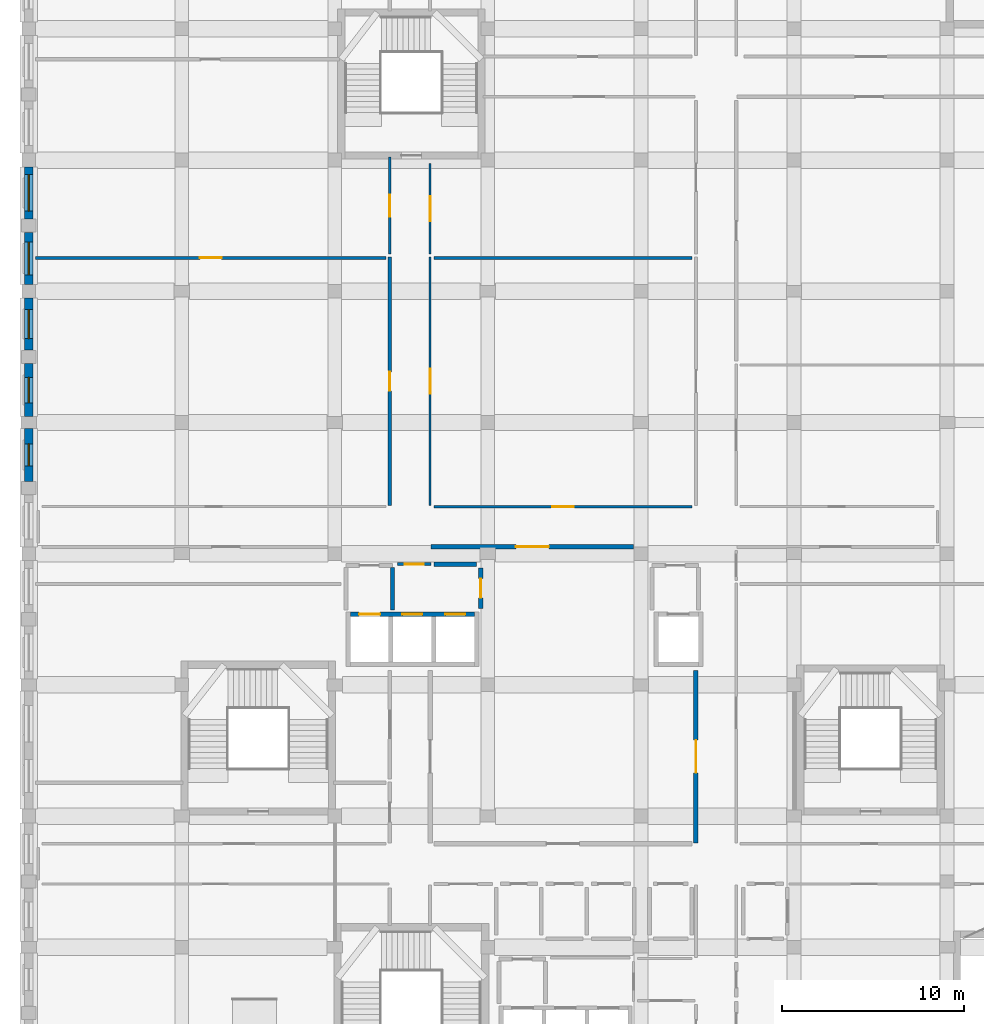
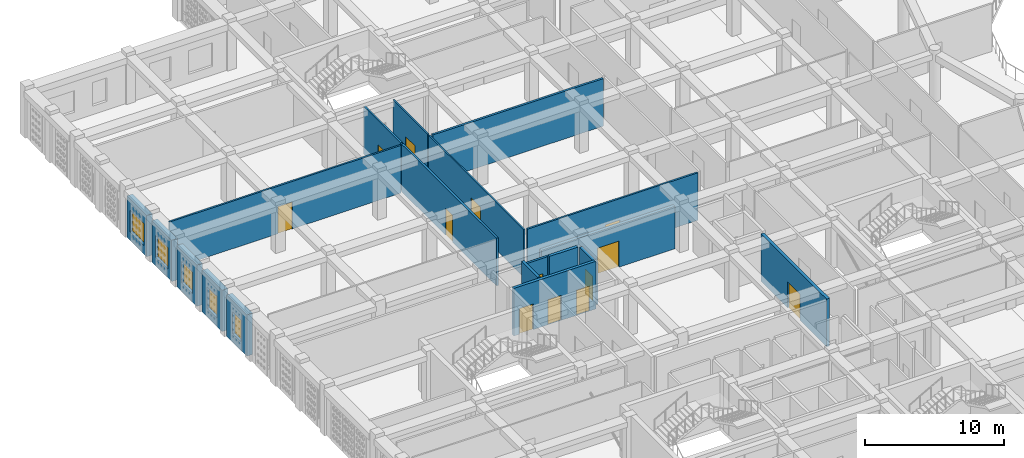
# One storey, part 75 of 121: 19 walls, 13 doors, 5 windows, 18 openings.
"""IFC4 building model written with IfcOpenShell, lengths in metres."""

from ifc_helpers import new_model, si_unit, derived_unit, direction, frame, frame_2d, origin, place, context, subcontext, project, spatial, rectangle, extrude, material, layer, layer_set, type_object, element, fill, save


model = new_model("IFC4")

# Units and contexts
model_context = context("Model", 3, precision=1e-05, world=origin(), true_north=direction((0.0, 1.0)))
body_context = subcontext(model_context, "Body", "Model", "MODEL_VIEW")
ifc_project = project(units=[si_unit("LENGTHUNIT", "METRE"), si_unit("AREAUNIT", "SQUARE_METRE"), si_unit("VOLUMEUNIT", "CUBIC_METRE"), si_unit("PLANEANGLEUNIT", "RADIAN"), si_unit("MASSUNIT", "GRAM", prefix="KILO"), derived_unit("THERMALTRANSMITTANCEUNIT", [(si_unit("POWERUNIT", "WATT"), 1), (si_unit("LENGTHUNIT", "METRE"), -2), (si_unit("THERMODYNAMICTEMPERATUREUNIT", "KELVIN"), -1)])], contexts=[model_context])

# Site, building, storey
site_placement = place(None, origin())
site = spatial("IfcSite", under=ifc_project, at=site_placement, CompositionType="ELEMENT")
building_placement = place(site_placement, origin())
building = spatial("IfcBuilding", under=site, at=building_placement, Name="Veybourne Emporium", CompositionType="ELEMENT")
storey_placement = place(building_placement, frame((0.0, 0.0, 5.39990234375)))
storey = spatial("IfcBuildingStorey", under=building, at=storey_placement, Name="L01", CompositionType="ELEMENT", Elevation=5.39990234375)

# Wall, opening, window
ifc_material_1 = material(Name="Portland Limestone Ashlar", Category="masonry")
ifc_layer_1 = layer(ifc_material_1, 0.47998046875)
ifc_layer_set_1 = layer_set([ifc_layer_1], Name="Portland Limestone Ashlar")
wall_type_1 = type_object("IfcWallType", Name="ExtWall_EW-01", PredefinedType="SOLIDWALL", material=ifc_layer_set_1)
wall_1_placement = place(storey_placement, frame((0.0, 47.169921875, 0.0), z_axis=(0.0, 0.0, 1.0), x_axis=(0.0, 1.0, 0.0)))
wall_1 = element("IfcWall", 1, at=wall_1_placement, inside=storey, type_object=wall_type_1, Name="L01 Portland stone external wall 006B", PredefinedType="SOLIDWALL", context=body_context, shape_type="SweptSolid", body=[
    extrude(rectangle(XDim=2.905029296875, YDim=0.47998046875, at=frame_2d((1.45263671875, 0.0))), origin(), (0.0, 0.0, 1.0), 3.630126953125),
])
opening_1_placement = place(wall_1_placement, frame((0.8525390625, 0.0, 0.75)))
opening_1 = element("IfcOpeningElement", 2, at=opening_1_placement, cuts=wall_1, Name="Opening W-01", PredefinedType="OPENING", context=body_context, shape_type="SweptSolid", body=[
    extrude(rectangle(XDim=1.199951171875, YDim=1.89990234375, at=frame_2d((0.60009765625, 0.949951171875))), frame((0.0, 0.260009765625, 0.0), z_axis=(0.0, -1.0, 0.0), x_axis=(1.0, 0.0, 0.0)), (0.0, 0.0, 1.0), 0.52001953125),
])
ifc_material_2 = material(Name="Low-E Triple Glazing", Category="glass")
window_type_1 = type_object("IfcWindowType", Name="Win_W-01", PartitioningType="SINGLE_PANEL", PredefinedType="WINDOW", material=ifc_material_2)
window_1_placement = place(opening_1_placement, origin())
window_1 = element("IfcWindow", 3, at=window_1_placement, inside=storey, type_object=window_type_1, Name="L01 tripartite bronze casement window W-01 (6B)", OverallHeight=1.89990234375, OverallWidth=1.199951171875, PartitioningType="SINGLE_PANEL", PredefinedType="WINDOW", context=body_context, shape_type="SweptSolid", body=[
    extrude(rectangle(XDim=1.199951171875, YDim=1.89990234375, at=frame_2d((0.60009765625, 0.949951171875))), frame((0.0, 0.030029296875, 0.0), z_axis=(0.0, -1.0, 0.0), x_axis=(1.0, 0.0, 0.0)), (0.0, 0.0, 1.0), 0.06005859375),
])
fill(opening_1, window_1)

wall_2_placement = place(storey_placement, frame((0.0, 50.72509765625, 0.0), z_axis=(0.0, 0.0, 1.0), x_axis=(0.0, 1.0, 0.0)))
wall_2 = element("IfcWall", 4, at=wall_2_placement, inside=storey, type_object=wall_type_1, Name="L01 Portland stone external wall 007A", PredefinedType="SOLIDWALL", context=body_context, shape_type="SweptSolid", body=[
    extrude(rectangle(XDim=2.90478515625, YDim=0.47998046875, at=frame_2d((1.452392578125, 0.0))), origin(), (0.0, 0.0, 1.0), 3.630126953125),
])
opening_2_placement = place(wall_2_placement, frame((0.75244140625, 0.0, 0.75)))
opening_2 = element("IfcOpeningElement", 5, at=opening_2_placement, cuts=wall_2, Name="Opening W-02", PredefinedType="OPENING", context=body_context, shape_type="SweptSolid", body=[
    extrude(rectangle(XDim=1.39990234375, YDim=1.89990234375, at=frame_2d((0.699951171875, 0.949951171875))), frame((0.0, 0.260009765625, 0.0), z_axis=(0.0, -1.0, 0.0), x_axis=(1.0, 0.0, 0.0)), (0.0, 0.0, 1.0), 0.52001953125),
])
window_type_2 = type_object("IfcWindowType", Name="Win_W-02", PartitioningType="DOUBLE_PANEL_VERTICAL", PredefinedType="WINDOW", material=ifc_material_2)
window_2_placement = place(opening_2_placement, origin())
window_2 = element("IfcWindow", 6, at=window_2_placement, inside=storey, type_object=window_type_2, Name="L01 tripartite bronze casement window W-02 (7A)", OverallHeight=1.89990234375, OverallWidth=1.39990234375, PartitioningType="DOUBLE_PANEL_VERTICAL", PredefinedType="WINDOW", context=body_context, shape_type="SweptSolid", body=[
    extrude(rectangle(XDim=1.39990234375, YDim=1.89990234375, at=frame_2d((0.699951171875, 0.949951171875))), frame((0.0, 0.030029296875, 0.0), z_axis=(0.0, -1.0, 0.0), x_axis=(1.0, 0.0, 0.0)), (0.0, 0.0, 1.0), 0.06005859375),
])
fill(opening_2, window_2)

wall_3_placement = place(storey_placement, frame((0.0, 54.3701171875, 0.0), z_axis=(0.0, 0.0, 1.0), x_axis=(0.0, 1.0, 0.0)))
wall_3 = element("IfcWall", 7, at=wall_3_placement, inside=storey, type_object=wall_type_1, Name="L01 Portland stone external wall 007B", PredefinedType="SOLIDWALL", context=body_context, shape_type="SweptSolid", body=[
    extrude(rectangle(XDim=2.85498046875, YDim=0.47998046875, at=frame_2d((1.427490234375, 0.0))), origin(), (0.0, 0.0, 1.0), 3.630126953125),
])
opening_3_placement = place(wall_3_placement, frame((0.62744140625, 0.0, 0.75)))
opening_3 = element("IfcOpeningElement", 8, at=opening_3_placement, cuts=wall_3, Name="Opening W-03", PredefinedType="OPENING", context=body_context, shape_type="SweptSolid", body=[
    extrude(rectangle(XDim=1.60009765625, YDim=1.89990234375, at=frame_2d((0.800048828125, 0.949951171875))), frame((0.0, 0.260009765625, 0.0), z_axis=(0.0, -1.0, 0.0), x_axis=(1.0, 0.0, 0.0)), (0.0, 0.0, 1.0), 0.52001953125),
])
window_type_3 = type_object("IfcWindowType", Name="Win_W-03", PartitioningType="DOUBLE_PANEL_VERTICAL", PredefinedType="WINDOW", material=ifc_material_2)
window_3_placement = place(opening_3_placement, origin())
window_3 = element("IfcWindow", 9, at=window_3_placement, inside=storey, type_object=window_type_3, Name="L01 tripartite bronze casement window W-03 (7B)", OverallHeight=1.89990234375, OverallWidth=1.60009765625, PartitioningType="DOUBLE_PANEL_VERTICAL", PredefinedType="WINDOW", context=body_context, shape_type="SweptSolid", body=[
    extrude(rectangle(XDim=1.60009765625, YDim=1.89990234375, at=frame_2d((0.800048828125, 0.949951171875))), frame((0.0, 0.030029296875, 0.0), z_axis=(0.0, -1.0, 0.0), x_axis=(1.0, 0.0, 0.0)), (0.0, 0.0, 1.0), 0.06005859375),
])
fill(opening_3, window_3)

wall_4_placement = place(storey_placement, frame((0.0, 57.97509765625, 0.0), z_axis=(0.0, 0.0, 1.0), x_axis=(0.0, 1.0, 0.0)))
wall_4 = element("IfcWall", 10, at=wall_4_placement, inside=storey, type_object=wall_type_1, Name="L01 Portland stone external wall 008A", PredefinedType="SOLIDWALL", context=body_context, shape_type="SweptSolid", body=[
    extrude(rectangle(XDim=2.85498046875, YDim=0.47998046875, at=frame_2d((1.427490234375, 0.0))), origin(), (0.0, 0.0, 1.0), 3.630126953125),
])
opening_4_placement = place(wall_4_placement, frame((0.527587890625, 0.0, 0.75)))
opening_4 = element("IfcOpeningElement", 11, at=opening_4_placement, cuts=wall_4, Name="Opening W-04", PredefinedType="OPENING", context=body_context, shape_type="SweptSolid", body=[
    extrude(rectangle(XDim=1.800048828125, YDim=1.89990234375, at=frame_2d((0.89990234375, 0.949951171875))), frame((0.0, 0.260009765625, 0.0), z_axis=(0.0, -1.0, 0.0), x_axis=(1.0, 0.0, 0.0)), (0.0, 0.0, 1.0), 0.52001953125),
])
window_type_4 = type_object("IfcWindowType", Name="Win_W-04", PartitioningType="DOUBLE_PANEL_VERTICAL", PredefinedType="WINDOW", material=ifc_material_2)
window_4_placement = place(opening_4_placement, origin())
window_4 = element("IfcWindow", 12, at=window_4_placement, inside=storey, type_object=window_type_4, Name="L01 tripartite bronze casement window W-04 (8A)", OverallHeight=1.89990234375, OverallWidth=1.800048828125, PartitioningType="DOUBLE_PANEL_VERTICAL", PredefinedType="WINDOW", context=body_context, shape_type="SweptSolid", body=[
    extrude(rectangle(XDim=1.800048828125, YDim=1.89990234375, at=frame_2d((0.89990234375, 0.949951171875))), frame((0.0, 0.030029296875, 0.0), z_axis=(0.0, -1.0, 0.0), x_axis=(1.0, 0.0, 0.0)), (0.0, 0.0, 1.0), 0.06005859375),
])
fill(opening_4, window_4)

wall_5_placement = place(storey_placement, frame((0.0, 61.570068359375, 0.0), z_axis=(0.0, 0.0, 1.0), x_axis=(0.0, 1.0, 0.0)))
wall_5 = element("IfcWall", 13, at=wall_5_placement, inside=storey, type_object=wall_type_1, Name="L01 Portland stone external wall 008B", PredefinedType="SOLIDWALL", context=body_context, shape_type="SweptSolid", body=[
    extrude(rectangle(XDim=2.85498046875, YDim=0.47998046875, at=frame_2d((1.427490234375, 0.0))), origin(), (0.0, 0.0, 1.0), 3.630126953125),
])
opening_5_placement = place(wall_5_placement, frame((0.427490234375, 0.0, 0.75)))
opening_5 = element("IfcOpeningElement", 14, at=opening_5_placement, cuts=wall_5, Name="Opening W-05", PredefinedType="OPENING", context=body_context, shape_type="SweptSolid", body=[
    extrude(rectangle(XDim=2.0, YDim=1.89990234375, at=frame_2d((1.0, 0.949951171875))), frame((0.0, 0.260009765625, 0.0), z_axis=(0.0, -1.0, 0.0), x_axis=(1.0, 0.0, 0.0)), (0.0, 0.0, 1.0), 0.52001953125),
])
window_type_5 = type_object("IfcWindowType", Name="Win_W-05", PartitioningType="TRIPLE_PANEL_VERTICAL", PredefinedType="WINDOW", material=ifc_material_2)
window_5_placement = place(opening_5_placement, origin())
window_5 = element("IfcWindow", 15, at=window_5_placement, inside=storey, type_object=window_type_5, Name="L01 tripartite bronze casement window W-05 (8B)", OverallHeight=1.89990234375, OverallWidth=2.0, PartitioningType="TRIPLE_PANEL_VERTICAL", PredefinedType="WINDOW", context=body_context, shape_type="SweptSolid", body=[
    extrude(rectangle(XDim=2.0, YDim=1.89990234375, at=frame_2d((1.0, 0.949951171875))), frame((0.0, 0.030029296875, 0.0), z_axis=(0.0, -1.0, 0.0), x_axis=(1.0, 0.0, 0.0)), (0.0, 0.0, 1.0), 0.06005859375),
])
fill(opening_5, window_5)

# Wall, openings, doors
ifc_material_3 = material(Name="Concrete C40/50", Category="concrete")
ifc_layer_2 = layer(ifc_material_3, 0.239990234375)
ifc_layer_set_2 = layer_set([ifc_layer_2], Name="Concrete C40/50")
wall_type_2 = type_object("IfcWallType", Name="IntWall_CW-04", PredefinedType="SHEAR", material=ifc_layer_set_2)
wall_6_placement = place(storey_placement, frame((24.47998046875, 39.8701171875, 0.0), z_axis=(0.0, 0.0, 1.0), x_axis=(-1.0, 0.0, 0.0)))
wall_6 = element("IfcWall", 16, at=wall_6_placement, inside=storey, type_object=wall_type_2, Name="Lift core C2 north shaft wall (L01)", PredefinedType="SHEAR", context=body_context, shape_type="SweptSolid", body=[
    extrude(rectangle(XDim=6.820068359375, YDim=0.239990234375, at=frame_2d((3.41015625, 0.0))), origin(), (0.0, 0.0, 1.0), 4.18017578125),
])
opening_6_placement = place(wall_6_placement, frame((5.195068359375, 0.0, 0.0)))
opening_6 = element("IfcOpeningElement", 17, at=opening_6_placement, cuts=wall_6, Name="Opening LD-02", PredefinedType="OPENING", context=body_context, shape_type="SweptSolid", body=[
    extrude(rectangle(XDim=1.14990234375, YDim=2.25, at=frame_2d((0.574951171875, 1.125))), frame((0.0, 0.14013671875, 0.0), z_axis=(0.0, -1.0, 0.0), x_axis=(1.0, 0.0, 0.0)), (0.0, 0.0, 1.0), 0.280029296875),
])
opening_7_placement = place(wall_6_placement, frame((2.8701171875, 0.0, 0.0)))
opening_7 = element("IfcOpeningElement", 18, at=opening_7_placement, cuts=wall_6, Name="Opening LD-01", PredefinedType="OPENING", context=body_context, shape_type="SweptSolid", body=[
    extrude(rectangle(XDim=1.10009765625, YDim=2.199951171875, at=frame_2d((0.550048828125, 1.10009765625))), frame((0.0, 0.14013671875, 0.0), z_axis=(0.0, -1.0, 0.0), x_axis=(1.0, 0.0, 0.0)), (0.0, 0.0, 1.0), 0.280029296875),
])
opening_8_placement = place(wall_6_placement, frame((0.510009765625, 0.0, 0.0)))
opening_8 = element("IfcOpeningElement", 19, at=opening_8_placement, cuts=wall_6, Name="Opening LD-01", PredefinedType="OPENING", context=body_context, shape_type="SweptSolid", body=[
    extrude(rectangle(XDim=1.10009765625, YDim=2.199951171875, at=frame_2d((0.550048828125, 1.10009765625))), frame((0.0, 0.14013671875, 0.0), z_axis=(0.0, -1.0, 0.0), x_axis=(1.0, 0.0, 0.0)), (0.0, 0.0, 1.0), 0.280029296875),
])
ifc_material_4 = material(Name="Patinated Architectural Bronze", Category="bronze")
door_type_1 = type_object("IfcDoorType", Name="FireDoor_LD-01", OperationType="DOUBLE_DOOR_SLIDING", PredefinedType="DOOR", material=ifc_material_4)
door_1_placement = place(opening_7_placement, origin())
door_1 = element("IfcDoor", 20, at=door_1_placement, inside=storey, type_object=door_type_1, Name="Lift PL-03 sliding landing door (L01)", OperationType="DOUBLE_DOOR_SLIDING", OverallHeight=2.199951171875, OverallWidth=1.10009765625, PredefinedType="DOOR", context=body_context, shape_type="SweptSolid", body=[
    extrude(rectangle(XDim=1.10009765625, YDim=2.199951171875, at=frame_2d((0.550048828125, 1.10009765625))), frame((0.0, 0.02490234375, 0.0), z_axis=(0.0, -1.0, 0.0), x_axis=(1.0, 0.0, 0.0)), (0.0, 0.0, 1.0), 0.050048828125),
])
fill(opening_7, door_1)
door_2_placement = place(opening_8_placement, origin())
door_2 = element("IfcDoor", 21, at=door_2_placement, inside=storey, type_object=door_type_1, Name="Lift PL-04 sliding landing door (L01)", OperationType="DOUBLE_DOOR_SLIDING", OverallHeight=2.199951171875, OverallWidth=1.10009765625, PredefinedType="DOOR", context=body_context, shape_type="SweptSolid", body=[
    extrude(rectangle(XDim=1.10009765625, YDim=2.199951171875, at=frame_2d((0.550048828125, 1.10009765625))), frame((0.0, 0.02490234375, 0.0), z_axis=(0.0, -1.0, 0.0), x_axis=(1.0, 0.0, 0.0)), (0.0, 0.0, 1.0), 0.050048828125),
])
fill(opening_8, door_2)
door_type_2 = type_object("IfcDoorType", Name="FireDoor_LD-02", OperationType="SLIDING_TO_LEFT", PredefinedType="DOOR", material=ifc_material_4)
door_3_placement = place(opening_6_placement, origin())
door_3 = element("IfcDoor", 22, at=door_3_placement, inside=storey, type_object=door_type_2, Name="Lift FFL-02 sliding landing door (L01)", OperationType="SLIDING_TO_LEFT", OverallHeight=2.25, OverallWidth=1.14990234375, PredefinedType="DOOR", context=body_context, shape_type="SweptSolid", body=[
    extrude(rectangle(XDim=1.14990234375, YDim=2.25, at=frame_2d((0.574951171875, 1.125))), frame((0.0, 0.02490234375, 0.0), z_axis=(0.0, -1.0, 0.0), x_axis=(1.0, 0.0, 0.0)), (0.0, 0.0, 1.0), 0.050048828125),
])
fill(opening_6, door_3)

# Wall, opening, door
ifc_material_5 = material(Name="Concrete C32/40", Category="concrete")
ifc_layer_3 = layer(ifc_material_5, 0.25)
ifc_layer_set_3 = layer_set([ifc_layer_3], Name="Concrete C32/40")
wall_type_3 = type_object("IfcWallType", Name="IntWall_FW-01", PredefinedType="SOLIDWALL", material=ifc_layer_set_3)
wall_7_placement = place(storey_placement, frame((22.080078125, 43.570068359375, 0.0), z_axis=(0.0, 0.0, 1.0), x_axis=(1.0, 0.0, 0.0)))
wall_7 = element("IfcWall", 23, at=wall_7_placement, inside=storey, type_object=wall_type_3, Name="L01 interior partition FW-01 #017", PredefinedType="SOLIDWALL", context=body_context, shape_type="SweptSolid", body=[
    extrude(rectangle(XDim=11.125, YDim=0.25, at=frame_2d((5.5625, 0.0))), origin(), (0.0, 0.0, 1.0), 3.72998046875),
])
opening_9_placement = place(wall_7_placement, frame((4.66259765625, 0.0, 0.0)))
opening_9 = element("IfcOpeningElement", 24, at=opening_9_placement, cuts=wall_7, Name="Opening FD-03", PredefinedType="OPENING", context=body_context, shape_type="SweptSolid", body=[
    extrude(rectangle(XDim=1.800048828125, YDim=2.300048828125, at=frame_2d((0.89990234375, 1.14990234375))), frame((0.0, 0.14501953125, 0.0), z_axis=(0.0, -1.0, 0.0), x_axis=(1.0, 0.0, 0.0)), (0.0, 0.0, 1.0), 0.2900390625),
])
door_type_3 = type_object("IfcDoorType", Name="FireDoor_FD-03", OperationType="DOUBLE_DOOR_SINGLE_SWING", PredefinedType="DOOR", material=ifc_material_4)
door_4_placement = place(opening_9_placement, origin())
door_4 = element("IfcDoor", 25, at=door_4_placement, inside=storey, type_object=door_type_3, Name="L01 interior door FD-03 (PART-L01-017)", OperationType="DOUBLE_DOOR_SINGLE_SWING", OverallHeight=2.300048828125, OverallWidth=1.800048828125, PredefinedType="DOOR", context=body_context, shape_type="SweptSolid", body=[
    extrude(rectangle(XDim=1.800048828125, YDim=2.300048828125, at=frame_2d((0.89990234375, 1.14990234375))), frame((0.0, 0.02490234375, 0.0), z_axis=(0.0, -1.0, 0.0), x_axis=(1.0, 0.0, 0.0)), (0.0, 0.0, 1.0), 0.050048828125),
])
fill(opening_9, door_4)

wall_8_placement = place(storey_placement, frame((36.6201171875, 27.330078125, 0.0), z_axis=(0.0, 0.0, 1.0), x_axis=(0.0, 1.0, 0.0)))
wall_8 = element("IfcWall", 26, at=wall_8_placement, inside=storey, type_object=wall_type_3, Name="L01 interior partition FW-01 #069", PredefinedType="SOLIDWALL", context=body_context, shape_type="SweptSolid", body=[
    extrude(rectangle(XDim=9.469970703125, YDim=0.25, at=frame_2d((4.73486328125, 0.0))), origin(), (0.0, 0.0, 1.0), 4.18017578125),
])
opening_10_placement = place(wall_8_placement, frame((3.8349609375, 0.0, 0.0)))
opening_10 = element("IfcOpeningElement", 27, at=opening_10_placement, cuts=wall_8, Name="Opening FD-03", PredefinedType="OPENING", context=body_context, shape_type="SweptSolid", body=[
    extrude(rectangle(XDim=1.800048828125, YDim=2.300048828125, at=frame_2d((0.89990234375, 1.14990234375))), frame((0.0, 0.14501953125, 0.0), z_axis=(0.0, -1.0, 0.0), x_axis=(1.0, 0.0, 0.0)), (0.0, 0.0, 1.0), 0.2900390625),
])
door_5_placement = place(opening_10_placement, origin())
door_5 = element("IfcDoor", 28, at=door_5_placement, inside=storey, type_object=door_type_3, Name="L01 interior door FD-03 (PART-L01-069)", OperationType="DOUBLE_DOOR_SINGLE_SWING", OverallHeight=2.300048828125, OverallWidth=1.800048828125, PredefinedType="DOOR", context=body_context, shape_type="SweptSolid", body=[
    extrude(rectangle(XDim=1.800048828125, YDim=2.300048828125, at=frame_2d((0.89990234375, 1.14990234375))), frame((0.0, 0.02490234375, 0.0), z_axis=(0.0, -1.0, 0.0), x_axis=(1.0, 0.0, 0.0)), (0.0, 0.0, 1.0), 0.050048828125),
])
fill(opening_10, door_5)

# Wall
wall_9_placement = place(storey_placement, frame((22.239990234375, 42.6298828125, 0.0), z_axis=(0.0, 0.0, 1.0), x_axis=(1.0, 0.0, 0.0)))
element("IfcWall", 29, at=wall_9_placement, inside=storey, type_object=wall_type_3, Name="L01 interior partition FW-01 #120", PredefinedType="SOLIDWALL", context=body_context, shape_type="SweptSolid", body=[
    extrude(rectangle(XDim=2.35009765625, YDim=0.25, at=frame_2d((1.175048828125, 0.0))), origin(), (0.0, 0.0, 1.0), 3.72998046875),
])

# Wall, opening, door
wall_10_placement = place(storey_placement, frame((24.800048828125, 40.177978515625, 0.0), z_axis=(0.0, 0.0, 1.0), x_axis=(0.0, 1.0, 0.0)))
wall_10 = element("IfcWall", 30, at=wall_10_placement, inside=storey, type_object=wall_type_3, Name="L01 interior partition FW-01 #122", PredefinedType="SOLIDWALL", context=body_context, shape_type="SweptSolid", body=[
    extrude(rectangle(XDim=2.241943359375, YDim=0.25, at=frame_2d((1.12109375, 0.0))), origin(), (0.0, 0.0, 1.0), 3.72998046875),
])
opening_11_placement = place(wall_10_placement, frame((0.595947265625, 0.0, 0.0)))
opening_11 = element("IfcOpeningElement", 31, at=opening_11_placement, cuts=wall_10, Name="Opening FD-02", PredefinedType="OPENING", context=body_context, shape_type="SweptSolid", body=[
    extrude(rectangle(XDim=1.050048828125, YDim=2.14990234375, at=frame_2d((0.52490234375, 1.074951171875))), frame((0.0, 0.14501953125, 0.0), z_axis=(0.0, -1.0, 0.0), x_axis=(1.0, 0.0, 0.0)), (0.0, 0.0, 1.0), 0.2900390625),
])
door_type_4 = type_object("IfcDoorType", Name="FireDoor_FD-02", OperationType="NOTDEFINED", PredefinedType="DOOR", material=ifc_material_4)
door_6_placement = place(opening_11_placement, origin())
door_6 = element("IfcDoor", 32, at=door_6_placement, inside=storey, type_object=door_type_4, Name="L01 interior door FD-02 (PART-L01-122)", OperationType="SINGLE_SWING_RIGHT", OverallHeight=2.14990234375, OverallWidth=1.050048828125, PredefinedType="DOOR", context=body_context, shape_type="SweptSolid", body=[
    extrude(rectangle(XDim=1.050048828125, YDim=2.14990234375, at=frame_2d((0.52490234375, 1.074951171875))), frame((0.0, 0.02490234375, 0.0), z_axis=(0.0, -1.0, 0.0), x_axis=(1.0, 0.0, 0.0)), (0.0, 0.0, 1.0), 0.050048828125),
])
fill(opening_11, door_6)

# Wall
ifc_layer_4 = layer(ifc_material_5, 0.219970703125)
ifc_layer_set_4 = layer_set([ifc_layer_4], Name="Concrete C32/40")
wall_type_4 = type_object("IfcWallType", Name="IntWall_FW-02", PredefinedType="SOLIDWALL", material=ifc_layer_set_4)
wall_11_placement = place(storey_placement, frame((19.9599609375, 40.110107421875, 0.0), z_axis=(0.0, 0.0, 1.0), x_axis=(0.0, 1.0, 0.0)))
element("IfcWall", 33, at=wall_11_placement, inside=storey, type_object=wall_type_4, Name="Firefighting lobby C2 fire wall E (L01)", PredefinedType="SOLIDWALL", context=body_context, shape_type="SweptSolid", body=[
    extrude(rectangle(XDim=2.31982421875, YDim=0.219970703125, at=frame_2d((1.159912109375, 0.0))), origin(), (0.0, 0.0, 1.0), 4.18017578125),
])

# Wall, opening, door
ifc_material_6 = material(Name="Gypsum Acoustic Board", Category="gypsum")
ifc_layer_5 = layer(ifc_material_6, 0.179931640625)
ifc_layer_set_5 = layer_set([ifc_layer_5], Name="Gypsum Acoustic Board")
wall_type_5 = type_object("IfcWallType", Name="IntWall_IW-01", PredefinedType="PARTITIONING", material=ifc_layer_set_5)
wall_12_placement = place(storey_placement, frame((19.820068359375, 45.830078125, 0.0), z_axis=(0.0, 0.0, 1.0), x_axis=(0.0, 1.0, 0.0)))
wall_12 = element("IfcWall", 34, at=wall_12_placement, inside=storey, type_object=wall_type_5, Name="L01 interior partition IW-01 #037", PredefinedType="PARTITIONING", context=body_context, shape_type="SweptSolid", body=[
    extrude(rectangle(XDim=13.64990234375, YDim=0.179931640625, at=frame_2d((6.824951171875, 0.0))), origin(), (0.0, 0.0, 1.0), 4.18017578125),
])
opening_12_placement = place(wall_12_placement, frame((6.304931640625, 0.0, 0.0)))
opening_12 = element("IfcOpeningElement", 35, at=opening_12_placement, cuts=wall_12, Name="Opening D-26", PredefinedType="OPENING", context=body_context, shape_type="SweptSolid", body=[
    extrude(rectangle(XDim=1.0400390625, YDim=2.3701171875, at=frame_2d((0.52001953125, 1.18505859375))), frame((0.0, 0.10986328125, 0.0), z_axis=(0.0, -1.0, 0.0), x_axis=(1.0, 0.0, 0.0)), (0.0, 0.0, 1.0), 0.219970703125),
])
ifc_material_7 = material(Name="European Oak Veneer and Bronze", Category="wood")
door_type_5 = type_object("IfcDoorType", Name="IntDoor_D-26", OperationType="NOTDEFINED", PredefinedType="DOOR", material=ifc_material_7)
door_7_placement = place(opening_12_placement, origin())
door_7 = element("IfcDoor", 36, at=door_7_placement, inside=storey, type_object=door_type_5, Name="L01 interior door D-26 (PART-L01-037)", OperationType="SINGLE_SWING_RIGHT", OverallHeight=2.3701171875, OverallWidth=1.0400390625, PredefinedType="DOOR", context=body_context, shape_type="SweptSolid", body=[
    extrude(rectangle(XDim=1.0400390625, YDim=2.3701171875, at=frame_2d((0.52001953125, 1.18505859375))), frame((0.0, 0.02490234375, 0.0), z_axis=(0.0, -1.0, 0.0), x_axis=(1.0, 0.0, 0.0)), (0.0, 0.0, 1.0), 0.050048828125),
])
fill(opening_12, door_7)

wall_13_placement = place(storey_placement, frame((20.25, 42.6298828125, 0.0), z_axis=(0.0, 0.0, 1.0), x_axis=(1.0, 0.0, 0.0)))
wall_13 = element("IfcWall", 37, at=wall_13_placement, inside=storey, type_object=wall_type_5, Name="L01 interior partition IW-01 #145", PredefinedType="PARTITIONING", context=body_context, shape_type="SweptSolid", body=[
    extrude(rectangle(XDim=1.830078125, YDim=0.179931640625, at=frame_2d((0.9150390625, 0.0))), origin(), (0.0, 0.0, 1.0), 3.72998046875),
])
opening_13_placement = place(wall_13_placement, frame((0.39501953125, 0.0, 0.0)))
opening_13 = element("IfcOpeningElement", 38, at=opening_13_placement, cuts=wall_13, Name="Opening D-26", PredefinedType="OPENING", context=body_context, shape_type="SweptSolid", body=[
    extrude(rectangle(XDim=1.0400390625, YDim=2.3701171875, at=frame_2d((0.52001953125, 1.18505859375))), frame((0.0, 0.10986328125, 0.0), z_axis=(0.0, -1.0, 0.0), x_axis=(1.0, 0.0, 0.0)), (0.0, 0.0, 1.0), 0.219970703125),
])
door_8_placement = place(opening_13_placement, origin())
door_8 = element("IfcDoor", 39, at=door_8_placement, inside=storey, type_object=door_type_5, Name="L01 interior door D-26 (PART-L01-145)", OperationType="SINGLE_SWING_LEFT", OverallHeight=2.3701171875, OverallWidth=1.0400390625, PredefinedType="DOOR", context=body_context, shape_type="SweptSolid", body=[
    extrude(rectangle(XDim=1.0400390625, YDim=2.3701171875, at=frame_2d((0.52001953125, 1.18505859375))), frame((0.0, 0.02490234375, 0.0), z_axis=(0.0, -1.0, 0.0), x_axis=(1.0, 0.0, 0.0)), (0.0, 0.0, 1.0), 0.050048828125),
])
fill(opening_13, door_8)

# Wall
wall_14_placement = place(storey_placement, frame((22.239990234375, 59.429931640625, 0.0), z_axis=(0.0, 0.0, 1.0), x_axis=(1.0, 0.0, 0.0)))
element("IfcWall", 40, at=wall_14_placement, inside=storey, type_object=wall_type_5, Name="L01 interior partition IW-01 #178", PredefinedType="PARTITIONING", context=body_context, shape_type="SweptSolid", body=[
    extrude(rectangle(XDim=14.169921875, YDim=0.179931640625, at=frame_2d((7.0849609375, 0.0))), origin(), (0.0, 0.0, 1.0), 4.18017578125),
])

# Wall, opening, door
ifc_layer_6 = layer(ifc_material_6, 0.14990234375)
ifc_layer_set_6 = layer_set([ifc_layer_6], Name="Gypsum Acoustic Board")
wall_type_6 = type_object("IfcWallType", Name="IntWall_IW-02", PredefinedType="PARTITIONING", material=ifc_layer_set_6)
wall_15_placement = place(storey_placement, frame((0.3701171875, 59.429931640625, 0.0), z_axis=(0.0, 0.0, 1.0), x_axis=(1.0, 0.0, 0.0)))
wall_15 = element("IfcWall", 41, at=wall_15_placement, inside=storey, type_object=wall_type_6, Name="L01 interior partition IW-02 #002", PredefinedType="PARTITIONING", context=body_context, shape_type="SweptSolid", body=[
    extrude(rectangle(XDim=19.239990234375, YDim=0.14990234375, at=frame_2d((9.6201171875, 0.0))), origin(), (0.0, 0.0, 1.0), 4.18017578125),
])
opening_14_placement = place(wall_15_placement, frame((9.02001953125, 0.0, 0.0)))
opening_14 = element("IfcOpeningElement", 42, at=opening_14_placement, cuts=wall_15, Name="Opening D-27", PredefinedType="OPENING", context=body_context, shape_type="SweptSolid", body=[
    extrude(rectangle(XDim=1.199951171875, YDim=2.3701171875, at=frame_2d((0.60009765625, 1.18505859375))), frame((0.0, 0.094970703125, 0.0), z_axis=(0.0, -1.0, 0.0), x_axis=(1.0, 0.0, 0.0)), (0.0, 0.0, 1.0), 0.18994140625),
])
door_type_6 = type_object("IfcDoorType", Name="IntDoor_D-27", OperationType="NOTDEFINED", PredefinedType="DOOR", material=ifc_material_7)
door_9_placement = place(opening_14_placement, origin())
door_9 = element("IfcDoor", 43, at=door_9_placement, inside=storey, type_object=door_type_6, Name="L01 interior door D-27 (PART-L01-002)", OperationType="SINGLE_SWING_RIGHT", OverallHeight=2.3701171875, OverallWidth=1.199951171875, PredefinedType="DOOR", context=body_context, shape_type="SweptSolid", body=[
    extrude(rectangle(XDim=1.199951171875, YDim=2.3701171875, at=frame_2d((0.60009765625, 1.18505859375))), frame((0.0, 0.02490234375, 0.0), z_axis=(0.0, -1.0, 0.0), x_axis=(1.0, 0.0, 0.0)), (0.0, 0.0, 1.0), 0.050048828125),
])
fill(opening_14, door_9)

wall_16_placement = place(storey_placement, frame((22.239990234375, 45.780029296875, 0.0), z_axis=(0.0, 0.0, 1.0), x_axis=(1.0, 0.0, 0.0)))
wall_16 = element("IfcWall", 44, at=wall_16_placement, inside=storey, type_object=wall_type_6, Name="L01 interior partition IW-02 #032", PredefinedType="PARTITIONING", context=body_context, shape_type="SweptSolid", body=[
    extrude(rectangle(XDim=14.169921875, YDim=0.14990234375, at=frame_2d((7.0849609375, 0.0))), origin(), (0.0, 0.0, 1.0), 4.18017578125),
])
opening_15_placement = place(wall_16_placement, frame((6.485107421875, 0.0, 0.0)))
opening_15 = element("IfcOpeningElement", 45, at=opening_15_placement, cuts=wall_16, Name="Opening D-21", PredefinedType="OPENING", context=body_context, shape_type="SweptSolid", body=[
    extrude(rectangle(XDim=1.199951171875, YDim=2.2900390625, at=frame_2d((0.60009765625, 1.14501953125))), frame((0.0, 0.094970703125, 0.0), z_axis=(0.0, -1.0, 0.0), x_axis=(1.0, 0.0, 0.0)), (0.0, 0.0, 1.0), 0.18994140625),
])
door_type_7 = type_object("IfcDoorType", Name="IntDoor_D-21", OperationType="NOTDEFINED", PredefinedType="DOOR", material=ifc_material_7)
door_10_placement = place(opening_15_placement, origin())
door_10 = element("IfcDoor", 46, at=door_10_placement, inside=storey, type_object=door_type_7, Name="L01 interior door D-21 (PART-L01-032)", OperationType="SINGLE_SWING_RIGHT", OverallHeight=2.2900390625, OverallWidth=1.199951171875, PredefinedType="DOOR", context=body_context, shape_type="SweptSolid", body=[
    extrude(rectangle(XDim=1.199951171875, YDim=2.2900390625, at=frame_2d((0.60009765625, 1.14501953125))), frame((0.0, 0.02490234375, 0.0), z_axis=(0.0, -1.0, 0.0), x_axis=(1.0, 0.0, 0.0)), (0.0, 0.0, 1.0), 0.050048828125),
])
fill(opening_15, door_10)

wall_17_placement = place(storey_placement, frame((19.820068359375, 59.639892578125, 0.0), z_axis=(0.0, 0.0, 1.0), x_axis=(0.0, 1.0, 0.0)))
wall_17 = element("IfcWall", 47, at=wall_17_placement, inside=storey, type_object=wall_type_6, Name="L01 interior partition IW-02 #086", PredefinedType="PARTITIONING", context=body_context, shape_type="SweptSolid", body=[
    extrude(rectangle(XDim=5.320068359375, YDim=0.14990234375, at=frame_2d((2.66015625, 0.0))), origin(), (0.0, 0.0, 1.0), 4.18017578125),
])
opening_16_placement = place(wall_17_placement, frame((2.06005859375, 0.0, 0.0)))
opening_16 = element("IfcOpeningElement", 48, at=opening_16_placement, cuts=wall_17, Name="Opening D-03", PredefinedType="OPENING", context=body_context, shape_type="SweptSolid", body=[
    extrude(rectangle(XDim=1.199951171875, YDim=2.050048828125, at=frame_2d((0.60009765625, 1.02490234375))), frame((0.0, 0.094970703125, 0.0), z_axis=(0.0, -1.0, 0.0), x_axis=(1.0, 0.0, 0.0)), (0.0, 0.0, 1.0), 0.18994140625),
])
door_type_8 = type_object("IfcDoorType", Name="IntDoor_D-03", OperationType="NOTDEFINED", PredefinedType="DOOR", material=ifc_material_7)
door_11_placement = place(opening_16_placement, origin())
door_11 = element("IfcDoor", 49, at=door_11_placement, inside=storey, type_object=door_type_8, Name="L01 interior door D-03 (PART-L01-086)", OperationType="SINGLE_SWING_RIGHT", OverallHeight=2.050048828125, OverallWidth=1.199951171875, PredefinedType="DOOR", context=body_context, shape_type="SweptSolid", body=[
    extrude(rectangle(XDim=1.199951171875, YDim=2.050048828125, at=frame_2d((0.60009765625, 1.02490234375))), frame((0.0, 0.02490234375, 0.0), z_axis=(0.0, -1.0, 0.0), x_axis=(1.0, 0.0, 0.0)), (0.0, 0.0, 1.0), 0.050048828125),
])
fill(opening_16, door_11)

ifc_layer_7 = layer(ifc_material_6, 0.1201171875)
ifc_layer_set_7 = layer_set([ifc_layer_7], Name="Gypsum Acoustic Board")
wall_type_7 = type_object("IfcWallType", Name="IntWall_IW-03", PredefinedType="PARTITIONING", material=ifc_layer_set_7)
wall_18_placement = place(storey_placement, frame((22.030029296875, 45.830078125, 0.0), z_axis=(0.0, 0.0, 1.0), x_axis=(0.0, 1.0, 0.0)))
wall_18 = element("IfcWall", 50, at=wall_18_placement, inside=storey, type_object=wall_type_7, Name="L01 interior partition IW-03 #039", PredefinedType="PARTITIONING", context=body_context, shape_type="SweptSolid", body=[
    extrude(rectangle(XDim=13.64990234375, YDim=0.1201171875, at=frame_2d((6.824951171875, 0.0))), origin(), (0.0, 0.0, 1.0), 4.18017578125),
])
opening_17_placement = place(wall_18_placement, frame((6.14501953125, 0.0, 0.0)))
opening_17 = element("IfcOpeningElement", 51, at=opening_17_placement, cuts=wall_18, Name="Opening D-28", PredefinedType="OPENING", context=body_context, shape_type="SweptSolid", body=[
    extrude(rectangle(XDim=1.360107421875, YDim=2.3701171875, at=frame_2d((0.68017578125, 1.18505859375))), frame((0.0, 0.080078125, 0.0), z_axis=(0.0, -1.0, 0.0), x_axis=(1.0, 0.0, 0.0)), (0.0, 0.0, 1.0), 0.16015625),
])
door_type_9 = type_object("IfcDoorType", Name="IntDoor_D-28", OperationType="NOTDEFINED", PredefinedType="DOOR", material=ifc_material_7)
door_12_placement = place(opening_17_placement, origin())
door_12 = element("IfcDoor", 52, at=door_12_placement, inside=storey, type_object=door_type_9, Name="L01 interior door D-28 (PART-L01-039)", OperationType="SINGLE_SWING_RIGHT", OverallHeight=2.3701171875, OverallWidth=1.360107421875, PredefinedType="DOOR", context=body_context, shape_type="SweptSolid", body=[
    extrude(rectangle(XDim=1.360107421875, YDim=2.3701171875, at=frame_2d((0.68017578125, 1.18505859375))), frame((0.0, 0.02490234375, 0.0), z_axis=(0.0, -1.0, 0.0), x_axis=(1.0, 0.0, 0.0)), (0.0, 0.0, 1.0), 0.050048828125),
])
fill(opening_17, door_12)

wall_19_placement = place(storey_placement, frame((22.030029296875, 59.639892578125, 0.0), z_axis=(0.0, 0.0, 1.0), x_axis=(0.0, 1.0, 0.0)))
wall_19 = element("IfcWall", 53, at=wall_19_placement, inside=storey, type_object=wall_type_7, Name="L01 interior partition IW-03 #087", PredefinedType="PARTITIONING", context=body_context, shape_type="SweptSolid", body=[
    extrude(rectangle(XDim=4.971435546875, YDim=0.1201171875, at=frame_2d((2.48583984375, 0.0))), origin(), (0.0, 0.0, 1.0), 4.18017578125),
])
opening_18_placement = place(wall_19_placement, frame((1.8056640625, 0.0, 0.0)))
opening_18 = element("IfcOpeningElement", 54, at=opening_18_placement, cuts=wall_19, Name="Opening D-04", PredefinedType="OPENING", context=body_context, shape_type="SweptSolid", body=[
    extrude(rectangle(XDim=1.360107421875, YDim=2.050048828125, at=frame_2d((0.68017578125, 1.02490234375))), frame((0.0, 0.080078125, 0.0), z_axis=(0.0, -1.0, 0.0), x_axis=(1.0, 0.0, 0.0)), (0.0, 0.0, 1.0), 0.16015625),
])
door_type_10 = type_object("IfcDoorType", Name="IntDoor_D-04", OperationType="NOTDEFINED", PredefinedType="DOOR", material=ifc_material_7)
door_13_placement = place(opening_18_placement, origin())
door_13 = element("IfcDoor", 55, at=door_13_placement, inside=storey, type_object=door_type_10, Name="L01 interior door D-04 (PART-L01-087)", OperationType="SINGLE_SWING_LEFT", OverallHeight=2.050048828125, OverallWidth=1.360107421875, PredefinedType="DOOR", context=body_context, shape_type="SweptSolid", body=[
    extrude(rectangle(XDim=1.360107421875, YDim=2.050048828125, at=frame_2d((0.68017578125, 1.02490234375))), frame((0.0, 0.02490234375, 0.0), z_axis=(0.0, -1.0, 0.0), x_axis=(1.0, 0.0, 0.0)), (0.0, 0.0, 1.0), 0.050048828125),
])
fill(opening_18, door_13)

save(model, "model.ifc")
